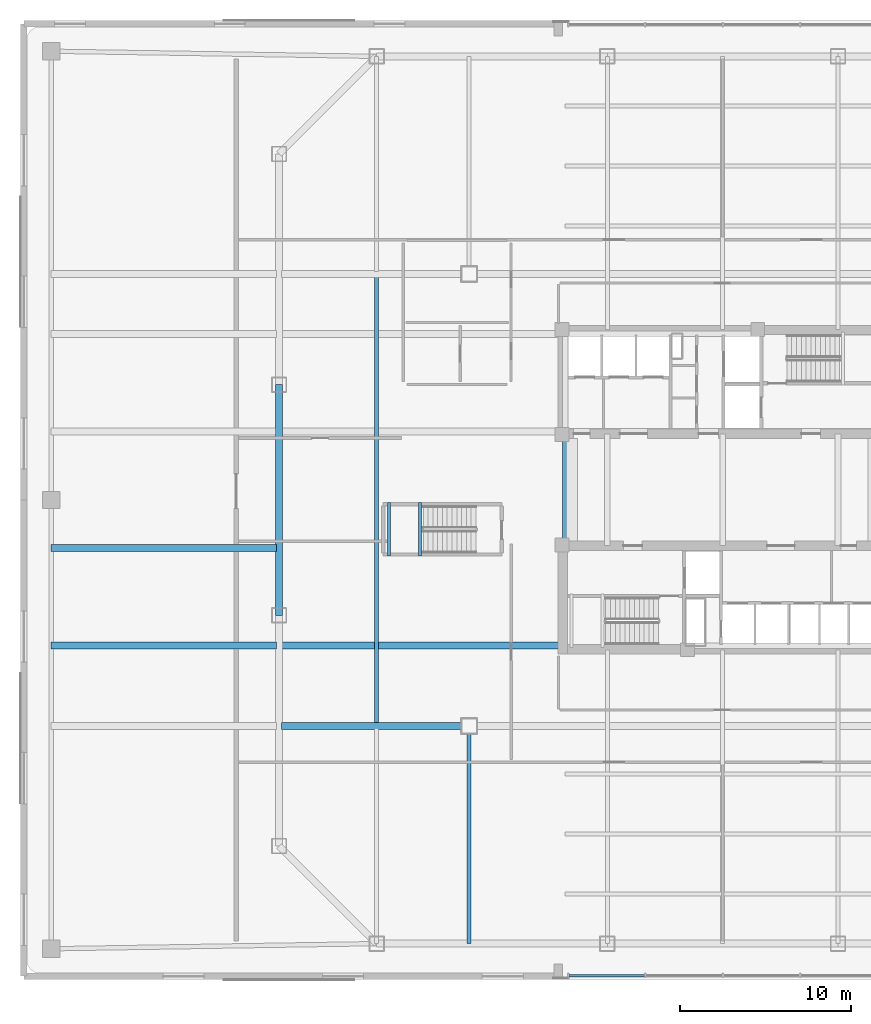
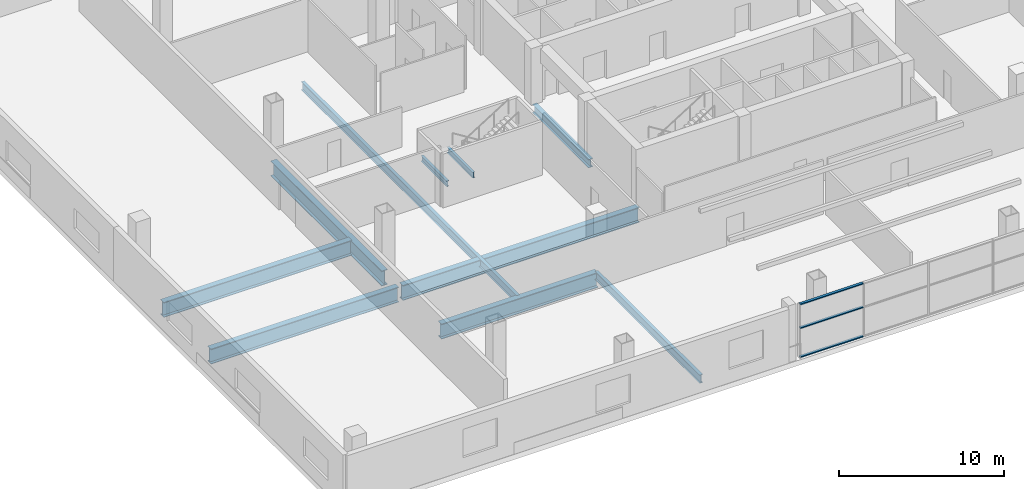
# One storey, part 3 of 21: 10 beams, 3 members, 1 element without a shape of its own.
"""IFC4 building model written with IfcOpenShell, lengths in metres."""

from ifc_helpers import new_model, si_unit, direction, frame, origin, origin_2d, place, context, subcontext, project, spatial, hollow_rectangle, i_section, extrude, material, layer, layer_set, material_profile, profile_set, type_object, element, aggregate, save


model = new_model("IFC4")

# Units and contexts
model_context = context("Model", 3, precision=1e-05, world=origin(), true_north=direction((0.0, 1.0)))
body_context = subcontext(model_context, "Body", "Model", "MODEL_VIEW")
ifc_project = project(units=[si_unit("LENGTHUNIT", "METRE"), si_unit("AREAUNIT", "SQUARE_METRE"), si_unit("VOLUMEUNIT", "CUBIC_METRE"), si_unit("PLANEANGLEUNIT", "RADIAN"), si_unit("MASSUNIT", "GRAM", prefix="KILO")], contexts=[model_context])

# Site, building, storey
site_placement = place(None, origin())
site = spatial("IfcSite", under=ifc_project, at=site_placement, CompositionType="ELEMENT")
building_placement = place(site_placement, origin())
building = spatial("IfcBuilding", under=site, at=building_placement, Name="Qhalaya Broadcast Tower", CompositionType="ELEMENT")
storey_placement = place(building_placement, frame((0.0, 0.0, 21.89990234375)))
storey = spatial("IfcBuildingStorey", under=building, at=storey_placement, Name="L05", CompositionType="ELEMENT", Elevation=21.89990234375)

# Beams
ifc_material_1 = material(Name="Structural Steel ASTM A992 Grade 50", Category="steel")
ifc_material_profile_1 = material_profile(ifc_material_1, i_section(OverallWidth=0.22802734375, OverallDepth=0.60693359375, WebThickness=0.01123046875, FlangeThickness=0.017333984375, at=origin_2d()), Name="W24X76")
ifc_profile_set_1 = profile_set([ifc_material_profile_1], Name="Structural Steel ASTM A992 Grade 50")
beam_type_1 = type_object("IfcBeamType", Name="Composite Floor Joist J01", PredefinedType="JOIST", material=ifc_profile_set_1)
beam_1_placement = place(storey_placement, frame((-20.199951171875, -13.06005859375, -0.683349609375), z_axis=(0.0, 1.0, 0.0), x_axis=(-1.0, 0.0, 0.0)))
element("IfcBeam", 1, at=beam_1_placement, inside=storey, type_object=beam_type_1, Name="L05 J01 L05-JS-M-20.2", PredefinedType="JOIST", context=body_context, shape_type="SweptSolid", body=[
    extrude(i_section(OverallWidth=0.22802734375, OverallDepth=0.60693359375, WebThickness=0.01123046875, FlangeThickness=0.017333984375, at=origin_2d()), origin(), (0.0, 0.0, 1.0), 26.1201171875),
])
beam_2_placement = place(storey_placement, frame((-14.800048828125, -25.89990234375, -0.683349609375), z_axis=(0.0, 1.0, 0.0), x_axis=(-1.0, 0.0, 0.0)))
element("IfcBeam", 2, at=beam_2_placement, inside=storey, type_object=beam_type_1, Name="L05 J01 L05-JS-S-14.8", PredefinedType="JOIST", context=body_context, shape_type="SweptSolid", body=[
    extrude(i_section(OverallWidth=0.22802734375, OverallDepth=0.60693359375, WebThickness=0.01123046875, FlangeThickness=0.017333984375, at=origin_2d()), origin(), (0.0, 0.0, 1.0), 12.699951171875),
])
ifc_material_profile_2 = material_profile(ifc_material_1, i_section(OverallWidth=0.323974609375, OverallDepth=0.612060546875, WebThickness=0.0126953125, FlangeThickness=0.01904296875, at=origin_2d()), Name="W24X104")
ifc_profile_set_2 = profile_set([ifc_material_profile_2], Name="Structural Steel ASTM A992 Grade 50")
beam_type_2 = type_object("IfcBeamType", Name="Core Frame Tie Beam B04", PredefinedType="BEAM", material=ifc_profile_set_2)
beam_3_placement = place(storey_placement, frame((-9.199951171875, -2.800048828125, -0.685791015625), z_axis=(0.0, 1.0, 0.0), x_axis=(-1.0, 0.0, 0.0)))
element("IfcBeam", 3, at=beam_3_placement, inside=storey, type_object=beam_type_2, Name="L05 B04 L05-CCW", PredefinedType="BEAM", context=body_context, shape_type="SweptSolid", body=[
    extrude(i_section(OverallWidth=0.323974609375, OverallDepth=0.612060546875, WebThickness=0.0126953125, FlangeThickness=0.01904296875, at=origin_2d()), origin(), (0.0, 0.0, 1.0), 6.800048828125),
])
ifc_material_profile_3 = material_profile(ifc_material_1, i_section(OverallWidth=0.404052734375, OverallDepth=1.117919921875, WebThickness=0.026123046875, FlangeThickness=0.044921875, at=origin_2d()), Name="W44X335")
ifc_profile_set_3 = profile_set([ifc_material_profile_3], Name="Structural Steel ASTM A992 Grade 50")
beam_type_3 = type_object("IfcBeamType", Name="Podium Long-Span Primary Girder PG1", PredefinedType="USERDEFINED", material=ifc_profile_set_3)
beam_4_placement = place(storey_placement, frame((-25.89990234375, 6.7333984375, -0.93896484375), z_axis=(0.0, -1.0, 0.0), x_axis=(1.0, 0.0, 0.0)))
element("IfcBeam", 4, at=beam_4_placement, inside=storey, type_object=beam_type_3, Name="L05 PG1 L05-PG-R14", ObjectType="GIRDER", PredefinedType="USERDEFINED", context=body_context, shape_type="SweptSolid", body=[
    extrude(i_section(OverallWidth=0.404052734375, OverallDepth=1.117919921875, WebThickness=0.026123046875, FlangeThickness=0.044921875, at=origin_2d()), origin(), (0.0, 0.0, 1.0), 13.466796875),
])
beam_5_placement = place(storey_placement, frame((-25.760009765625, -13.199951171875, -0.93896484375), z_axis=(1.0, 0.0, 0.0), x_axis=(0.0, 1.0, 0.0)))
element("IfcBeam", 5, at=beam_5_placement, inside=storey, type_object=beam_type_3, Name="L05 PG1 L05-PG-GS2", ObjectType="GIRDER", PredefinedType="USERDEFINED", context=body_context, shape_type="SweptSolid", body=[
    extrude(i_section(OverallWidth=0.404052734375, OverallDepth=1.117919921875, WebThickness=0.026123046875, FlangeThickness=0.044921875, at=origin_2d()), origin(), (0.0, 0.0, 1.0), 10.9599609375),
])
beam_6_placement = place(storey_placement, frame((-39.199951171875, -8.5, -0.93896484375), z_axis=(1.0, 0.0, 0.0), x_axis=(0.0, 1.0, 0.0)))
element("IfcBeam", 6, at=beam_6_placement, inside=storey, type_object=beam_type_3, Name="L05 PG1 L05-PG-W1A", ObjectType="GIRDER", PredefinedType="USERDEFINED", context=body_context, shape_type="SweptSolid", body=[
    extrude(i_section(OverallWidth=0.404052734375, OverallDepth=1.117919921875, WebThickness=0.026123046875, FlangeThickness=0.044921875, at=origin_2d()), origin(), (0.0, 0.0, 1.0), 13.159912109375),
])
beam_7_placement = place(storey_placement, frame((-25.760009765625, -8.5, -0.93896484375), z_axis=(1.0, 0.0, 0.0), x_axis=(0.0, 1.0, 0.0)))
element("IfcBeam", 7, at=beam_7_placement, inside=storey, type_object=beam_type_3, Name="L05 PG1 L05-PG-W1B", ObjectType="GIRDER", PredefinedType="USERDEFINED", context=body_context, shape_type="SweptSolid", body=[
    extrude(i_section(OverallWidth=0.404052734375, OverallDepth=1.117919921875, WebThickness=0.026123046875, FlangeThickness=0.044921875, at=origin_2d()), origin(), (0.0, 0.0, 1.0), 16.56005859375),
])
beam_8_placement = place(storey_placement, frame((-39.199951171875, -2.800048828125, -0.93896484375), z_axis=(1.0, 0.0, 0.0), x_axis=(0.0, 1.0, 0.0)))
element("IfcBeam", 8, at=beam_8_placement, inside=storey, type_object=beam_type_3, Name="L05 PG1 L05-PG-W2A", ObjectType="GIRDER", PredefinedType="USERDEFINED", context=body_context, shape_type="SweptSolid", body=[
    extrude(i_section(OverallWidth=0.404052734375, OverallDepth=1.117919921875, WebThickness=0.026123046875, FlangeThickness=0.044921875, at=origin_2d()), origin(), (0.0, 0.0, 1.0), 13.159912109375),
])

# Curtain wall, members
ifc_material_2 = material(Name="Solar-Control Low-E Triple Glazing", Category="glass")
ifc_layer = layer(ifc_material_2, 0.219970703125, Name="Solar-Control Low-E Triple Glazing")
ifc_layer_set = layer_set([ifc_layer], Name="Solar-Control Low-E Triple Glazing")
curtain_wall_type = type_object("IfcCurtainWallType", Name="Podium Concourse Triple-Height Glazed Portal CW-01", PredefinedType="NOTDEFINED", material=ifc_layer_set)
curtain_wall_placement = place(storey_placement, origin())
curtain_wall = element("IfcCurtainWall", 9, at=curtain_wall_placement, inside=storey, type_object=curtain_wall_type, Name="L05 Unitised Curtain Wall L05-CW01-S", PredefinedType="NOTDEFINED")
ifc_material_3 = material(Name="Anodised Aluminium 6063-T6", Category="aluminium")
ifc_material_profile_4 = material_profile(ifc_material_3, hollow_rectangle(XDim=0.074951171875, YDim=0.179931640625, WallThickness=0.00390625, at=origin_2d()), Name="ALU-TRN 75x180x4")
ifc_profile_set_4 = profile_set([ifc_material_profile_4], Name="Anodised Aluminium 6063-T6")
member_type = type_object("IfcMemberType", Name="Unitised Curtain-Wall Transom T01", PredefinedType="USERDEFINED", material=ifc_profile_set_4)
member_1_placement = place(storey_placement, frame((-8.97509765625, -27.75, 0.03759765625), z_axis=(1.0, 0.0, 0.0), x_axis=(0.0, 0.0, 1.0)))
member_1 = element("IfcMember", 10, at=member_1_placement, type_object=member_type, Name="CW-01 transom 1.1", ObjectType="TRANSOM", PredefinedType="USERDEFINED", context=body_context, shape_type="SweptSolid", body=[
    extrude(hollow_rectangle(XDim=0.074951171875, YDim=0.179931640625, WallThickness=0.00390625, at=origin_2d()), origin(), (0.0, 0.0, 1.0), 4.41259765625),
])
member_2_placement = place(storey_placement, frame((-8.97509765625, -27.75, 2.189208984375), z_axis=(1.0, 0.0, 0.0), x_axis=(0.0, 0.0, 1.0)))
member_2 = element("IfcMember", 11, at=member_2_placement, type_object=member_type, Name="CW-01 transom 1.2", ObjectType="TRANSOM", PredefinedType="USERDEFINED", context=body_context, shape_type="SweptSolid", body=[
    extrude(hollow_rectangle(XDim=0.074951171875, YDim=0.179931640625, WallThickness=0.00390625, at=origin_2d()), origin(), (0.0, 0.0, 1.0), 4.41259765625),
])
member_3_placement = place(storey_placement, frame((-8.97509765625, -27.75, 3.942626953125), z_axis=(1.0, 0.0, 0.0), x_axis=(0.0, 0.0, 1.0)))
member_3 = element("IfcMember", 12, at=member_3_placement, type_object=member_type, Name="CW-01 transom 1.3", ObjectType="TRANSOM", PredefinedType="USERDEFINED", context=body_context, shape_type="SweptSolid", body=[
    extrude(hollow_rectangle(XDim=0.074951171875, YDim=0.179931640625, WallThickness=0.00390625, at=origin_2d()), origin(), (0.0, 0.0, 1.0), 4.41259765625),
])
aggregate(curtain_wall, [member_1, member_2, member_3])

# Beams
ifc_material_profile_5 = material_profile(ifc_material_1, i_section(OverallWidth=0.177978515625, OverallDepth=0.406005859375, WebThickness=0.0078125, FlangeThickness=0.0126953125, at=origin_2d()), Name="W16X40")
ifc_profile_set_5 = profile_set([ifc_material_profile_5], Name="Structural Steel ASTM A992 Grade 50")
beam_type_4 = type_object("IfcBeamType", Name="Upper Perimeter Spandrel Beam SP2", PredefinedType="SPANDREL", material=ifc_profile_set_5)
for number, where, z_axis, x_axis, name in (
    (13, (-19.47998046875, -3.280029296875, 1.697021484375), (0.0, 1.0, 0.0), (-1.0, 0.0, 0.0), "L05 ST-P1 Half-Landing Bearer Beam 1"),
    (14, (-17.6650390625, -3.280029296875, 1.697021484375), (0.0, 1.0, 0.0), (-1.0, 0.0, 0.0), "L05 ST-P1 Half-Landing Bearer Beam 2"),
):
    element("IfcBeam", number, at=place(storey_placement, frame(where, z_axis=z_axis, x_axis=x_axis)), inside=storey, type_object=beam_type_4, Name=name, PredefinedType="SPANDREL", context=body_context, shape_type="SweptSolid", body=[
        extrude(i_section(OverallWidth=0.177978515625, OverallDepth=0.406005859375, WebThickness=0.0078125, FlangeThickness=0.0126953125, at=origin_2d()), origin(), (0.0, 0.0, 1.0), 3.1201171875),
    ])

save(model, "model.ifc")
